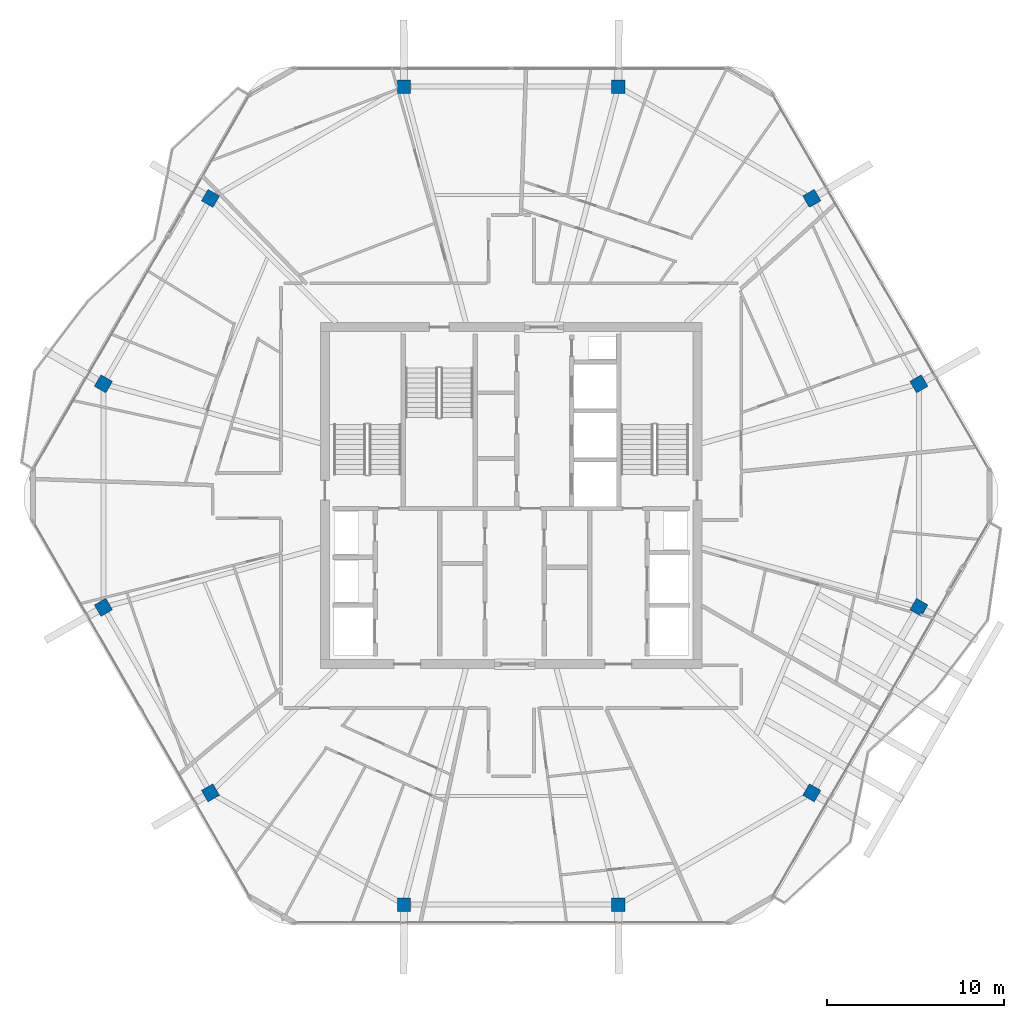
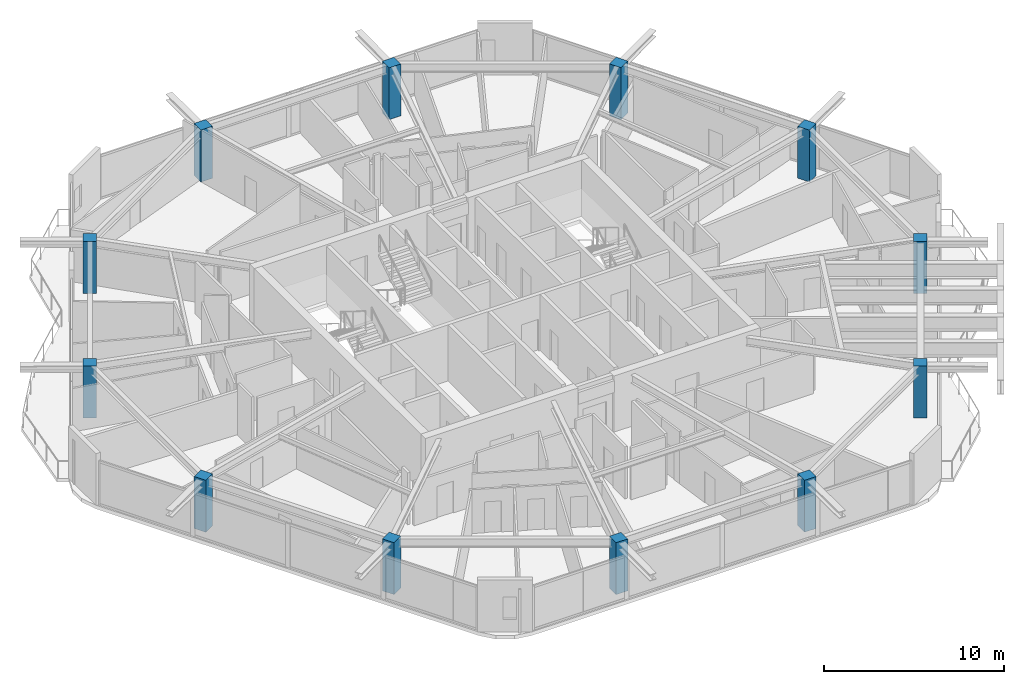
# One storey, part 1 of 23: 12 columns.
"""IFC4 building model written with IfcOpenShell, lengths in metres."""

from ifc_helpers import new_model, si_unit, direction, frame, origin, origin_2d, place, context, subcontext, project, spatial, rectangle, extrude, material, material_profile, profile_set, type_object, element, save


model = new_model("IFC4")

# Units and contexts
model_context = context("Model", 3, precision=1e-05, world=origin(), true_north=direction((0.0, 1.0)))
body_context = subcontext(model_context, "Body", "Model", "MODEL_VIEW")
ifc_project = project(units=[si_unit("LENGTHUNIT", "METRE"), si_unit("AREAUNIT", "SQUARE_METRE"), si_unit("VOLUMEUNIT", "CUBIC_METRE"), si_unit("PLANEANGLEUNIT", "RADIAN"), si_unit("MASSUNIT", "GRAM", prefix="KILO")], contexts=[model_context])

# Site, building, storey
site_placement = place(None, origin())
site = spatial("IfcSite", under=ifc_project, at=site_placement, CompositionType="ELEMENT")
building_placement = place(site_placement, origin())
building = spatial("IfcBuilding", under=site, at=building_placement, Name="Zuhravey Tower", CompositionType="ELEMENT")
storey_placement = place(building_placement, frame((0.0, 0.0, 350.0)))
storey = spatial("IfcBuildingStorey", under=building, at=storey_placement, Name="L89", CompositionType="ELEMENT", Elevation=350.0)

# Columns
ifc_material = material(Name="Concrete C50/60", Category="concrete")
ifc_material_profile = material_profile(ifc_material, rectangle(XDim=0.75, YDim=0.75, at=origin_2d()), Name="RC-750x750")
ifc_profile_set = profile_set([ifc_material_profile], Name="Concrete C50/60")
column_type = type_object("IfcColumnType", Name="Zone 4 Upper Column 750x750", PredefinedType="COLUMN", material=ifc_profile_set)
for number, where, z_axis, x_axis, name in (
    (1, (58.993408203125, 38.302490234375, 0.0), (0.0, 0.0, 1.0), (-0.5, 0.866025403784, 0.0), "L89 Perimeter Column PC01"),
    (2, (52.95458984375, 48.76171875, 0.0), (0.0, 0.0, 1.0), (-0.5, 0.866025403784, 0.0), "L89 Perimeter Column PC02"),
    (3, (42.038818359375, 55.064208984375, 0.0), (0.0, 0.0, 1.0), (-1.0, 0.0, 0.0), "L89 Perimeter Column PC03"),
    (4, (29.961181640625, 55.064208984375, 0.0), (0.0, 0.0, 1.0), (-1.0, 0.0, 0.0), "L89 Perimeter Column PC04"),
    (5, (19.04541015625, 48.76171875, 0.0), (0.0, 0.0, 1.0), (-0.5, -0.866025403784, 0.0), "L89 Perimeter Column PC05"),
    (6, (13.006591796875, 38.302490234375, 0.0), (0.0, 0.0, 1.0), (-0.5, -0.866025403784, 0.0), "L89 Perimeter Column PC06"),
    (7, (13.006591796875, 25.697509765625, 0.0), (0.0, 0.0, 1.0), (0.5, -0.866025403784, 0.0), "L89 Perimeter Column PC07"),
    (8, (19.04541015625, 15.23828125, 0.0), (0.0, 0.0, 1.0), (0.5, -0.866025403784, 0.0), "L89 Perimeter Column PC08"),
    (9, (29.961181640625, 8.935791015625, 0.0), (0.0, 0.0, 1.0), (1.0, 0.0, 0.0), "L89 Perimeter Column PC09"),
    (10, (42.038818359375, 8.935791015625, 0.0), (0.0, 0.0, 1.0), (1.0, 0.0, 0.0), "L89 Perimeter Column PC10"),
    (11, (52.95458984375, 15.23828125, 0.0), (0.0, 0.0, 1.0), (0.5, 0.866025403784, 0.0), "L89 Perimeter Column PC11"),
    (12, (58.993408203125, 25.697509765625, 0.0), (0.0, 0.0, 1.0), (0.5, 0.866025403784, 0.0), "L89 Perimeter Column PC12"),
):
    element("IfcColumn", number, at=place(storey_placement, frame(where, z_axis=z_axis, x_axis=x_axis)), inside=storey, type_object=column_type, Name=name, PredefinedType="COLUMN", context=body_context, shape_type="SweptSolid", body=[
        extrude(rectangle(XDim=0.75, YDim=0.75, at=origin_2d()), origin(), (0.0, 0.0, 1.0), 3.52001953125),
    ])

save(model, "model.ifc")
